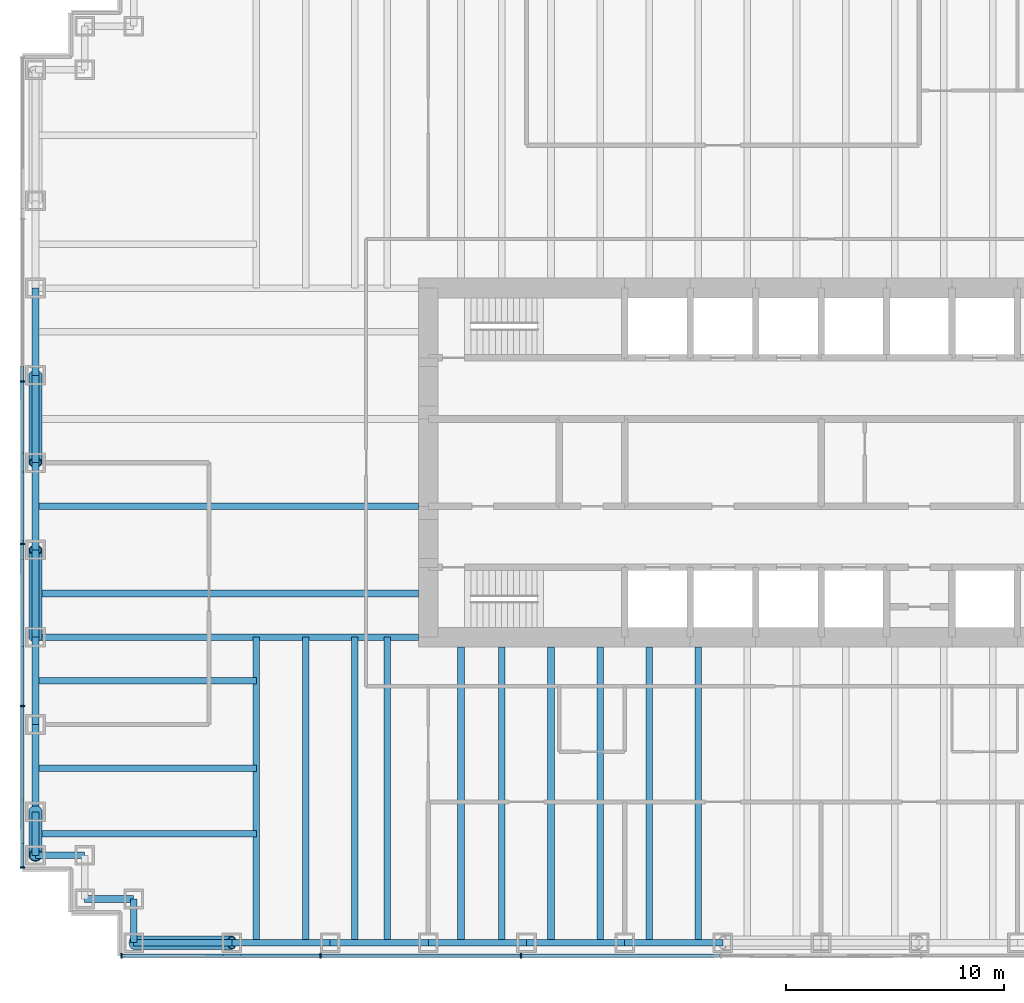
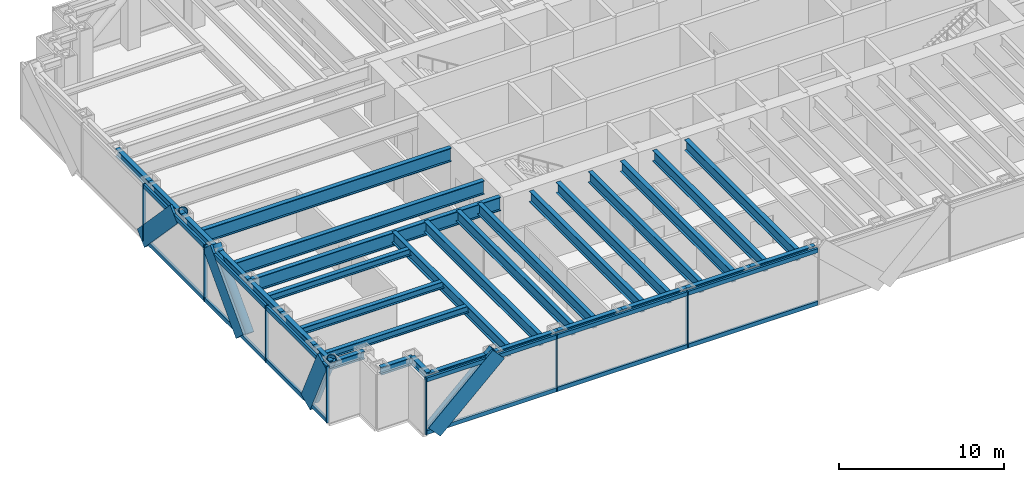
# One storey, part 2 of 15: 32 beams, 27 members, 2 elements without a shape of their own.
"""IFC4 building model written with IfcOpenShell, lengths in metres."""

from ifc_helpers import new_model, si_unit, direction, frame, origin, origin_2d, place, context, subcontext, project, spatial, rectangle, hollow_circle, i_section, extrude, material, material_profile, profile_set, type_object, element, aggregate, save


model = new_model("IFC4")

# Units and contexts
model_context = context("Model", 3, precision=1e-05, world=origin(), true_north=direction((0.0, 1.0)))
body_context = subcontext(model_context, "Body", "Model", "MODEL_VIEW")
ifc_project = project(units=[si_unit("LENGTHUNIT", "METRE"), si_unit("AREAUNIT", "SQUARE_METRE"), si_unit("VOLUMEUNIT", "CUBIC_METRE"), si_unit("PLANEANGLEUNIT", "RADIAN"), si_unit("MASSUNIT", "GRAM", prefix="KILO")], contexts=[model_context])

# Site, building, storey
site_placement = place(None, origin())
site = spatial("IfcSite", under=ifc_project, at=site_placement, CompositionType="ELEMENT")
building_placement = place(site_placement, origin())
building = spatial("IfcBuilding", under=site, at=building_placement, Name="Rheinbord Bourse Tower", CompositionType="ELEMENT")
storey_placement = place(building_placement, frame((0.0, 0.0, 155.10009765625)))
storey = spatial("IfcBuildingStorey", under=building, at=storey_placement, Name="L34", CompositionType="ELEMENT", Elevation=155.10009765625)

# Curtain wall, member
ifc_material_1 = material(Name="Dark glass and black aluminium", Category="aluminium")
curtain_wall_type = type_object("IfcCurtainWallType", Name="CW2 DARK GLASS CURTAIN WALL", PredefinedType="USERDEFINED", material=ifc_material_1)
curtain_wall_1_placement = place(storey_placement, origin())
curtain_wall_1 = element("IfcCurtainWall", 1, at=curtain_wall_1_placement, inside=storey, type_object=curtain_wall_type, Name="Curtain wall CW2 S L34", ObjectType="UNITISED CURTAIN WALL", PredefinedType="USERDEFINED")
ifc_material_2 = material(Name="Black anodised aluminium", Category="aluminium")
ifc_material_profile_1 = material_profile(ifc_material_2, rectangle(XDim=0.159912109375, YDim=1.2099609375, at=origin_2d()), Name="CW2 DIAGONAL MULLION 1210x160")
ifc_profile_set_1 = profile_set([ifc_material_profile_1], Name="Black anodised aluminium")
member_type_1 = type_object("IfcMemberType", Name="CW2 BLACK DIAGONAL MULLION", PredefinedType="USERDEFINED", material=ifc_profile_set_1)
member_1_placement = place(storey_placement, frame((4.5, 1.39990234375, 0.0), z_axis=(0.73105922506, 0.0, 0.682314010889), x_axis=(0.0, 1.0, 0.0)))
member_1 = element("IfcMember", 2, at=member_1_placement, type_object=member_type_1, Name="CW2 diagonal mullion d", ObjectType="DIAGONAL MULLION", PredefinedType="USERDEFINED", context=body_context, shape_type="SweptSolid", body=[
    extrude(rectangle(XDim=0.159912109375, YDim=1.2099609375, at=origin_2d()), origin(), (0.0, 0.0, 1.0), 6.155517578125),
])

# Curtain wall, members
curtain_wall_2_placement = place(storey_placement, origin())
curtain_wall_2 = element("IfcCurtainWall", 3, at=curtain_wall_2_placement, inside=storey, type_object=curtain_wall_type, Name="Curtain wall CW2 W L34", ObjectType="UNITISED CURTAIN WALL", PredefinedType="USERDEFINED")
member_2_placement = place(storey_placement, frame((-0.60009765625, 8.0, 0.0), z_axis=(0.0, -0.429937654825, 0.902858578607), x_axis=(1.0, 0.0, 0.0)))
member_2 = element("IfcMember", 4, at=member_2_placement, type_object=member_type_1, Name="CW2 diagonal mullion a", ObjectType="DIAGONAL MULLION", PredefinedType="USERDEFINED", context=body_context, shape_type="SweptSolid", body=[
    extrude(rectangle(XDim=0.159912109375, YDim=1.2099609375, at=origin_2d()), origin(), (0.0, 0.0, 1.0), 4.65185546875),
])
member_3_placement = place(storey_placement, frame((-0.60009765625, 16.0, 0.0), z_axis=(0.0, 0.689659376744, 0.724133926887), x_axis=(-1.0, 0.0, 0.0)))
member_3 = element("IfcMember", 5, at=member_3_placement, type_object=member_type_1, Name="CW2 diagonal mullion c", ObjectType="DIAGONAL MULLION", PredefinedType="USERDEFINED", context=body_context, shape_type="SweptSolid", body=[
    extrude(rectangle(XDim=0.159912109375, YDim=1.2099609375, at=origin_2d()), origin(), (0.0, 0.0, 1.0), 5.800048828125),
])
member_4_placement = place(storey_placement, frame((-0.60009765625, 28.0, 0.0), z_axis=(0.0, -0.689659376744, 0.724133926887), x_axis=(1.0, 0.0, 0.0)))
member_4 = element("IfcMember", 6, at=member_4_placement, type_object=member_type_1, Name="CW2 diagonal mullion d", ObjectType="DIAGONAL MULLION", PredefinedType="USERDEFINED", context=body_context, shape_type="SweptSolid", body=[
    extrude(rectangle(XDim=0.159912109375, YDim=1.2099609375, at=origin_2d()), origin(), (0.0, 0.0, 1.0), 5.800048828125),
])

# Member
ifc_material_3 = material(Name="Black anodised aluminium", Category="aluminium")
ifc_material_profile_2 = material_profile(ifc_material_3, rectangle(XDim=0.219970703125, YDim=0.070068359375, at=origin_2d()), Name="CW2 MULLION 70x220")
ifc_profile_set_2 = profile_set([ifc_material_profile_2], Name="Black anodised aluminium")
member_type_2 = type_object("IfcMemberType", Name="CW2 BLACK MULLION", PredefinedType="MULLION", material=ifc_profile_set_2)
member_5_placement = place(storey_placement, frame((3.93505859375, 1.39990234375, 0.0), z_axis=(0.0, 0.0, 1.0), x_axis=(0.0, 1.0, 0.0)))
member_5 = element("IfcMember", 7, at=member_5_placement, type_object=member_type_2, Name="CW2 mullion 1", PredefinedType="MULLION", context=body_context, shape_type="SweptSolid", body=[
    extrude(rectangle(XDim=0.219970703125, YDim=0.070068359375, at=origin_2d()), origin(), (0.0, 0.0, 1.0), 4.199951171875),
])

member_6_placement = place(storey_placement, frame((13.071533203125, 1.39990234375, 0.0), z_axis=(0.0, 0.0, 1.0), x_axis=(0.0, 1.0, 0.0)))
member_6 = element("IfcMember", 8, at=member_6_placement, type_object=member_type_2, Name="CW2 mullion 2", PredefinedType="MULLION", context=body_context, shape_type="SweptSolid", body=[
    extrude(rectangle(XDim=0.219970703125, YDim=0.070068359375, at=origin_2d()), origin(), (0.0, 0.0, 1.0), 4.199951171875),
])

member_7_placement = place(storey_placement, frame((22.242919921875, 1.39990234375, 0.0), z_axis=(0.0, 0.0, 1.0), x_axis=(0.0, 1.0, 0.0)))
member_7 = element("IfcMember", 9, at=member_7_placement, type_object=member_type_2, Name="CW2 mullion 3", PredefinedType="MULLION", context=body_context, shape_type="SweptSolid", body=[
    extrude(rectangle(XDim=0.219970703125, YDim=0.070068359375, at=origin_2d()), origin(), (0.0, 0.0, 1.0), 4.199951171875),
])

member_8_placement = place(storey_placement, frame((-0.60009765625, 27.719970703125, 0.0), z_axis=(0.0, 0.0, 1.0), x_axis=(1.0, 0.0, 0.0)))
member_8 = element("IfcMember", 10, at=member_8_placement, type_object=member_type_2, Name="CW2 mullion 3", PredefinedType="MULLION", context=body_context, shape_type="SweptSolid", body=[
    extrude(rectangle(XDim=0.219970703125, YDim=0.070068359375, at=origin_2d()), origin(), (0.0, 0.0, 1.0), 4.199951171875),
])

member_9_placement = place(storey_placement, frame((-0.60009765625, 20.280029296875, 0.0), z_axis=(0.0, 0.0, 1.0), x_axis=(1.0, 0.0, 0.0)))
member_9 = element("IfcMember", 11, at=member_9_placement, type_object=member_type_2, Name="CW2 mullion 4", PredefinedType="MULLION", context=body_context, shape_type="SweptSolid", body=[
    extrude(rectangle(XDim=0.219970703125, YDim=0.070068359375, at=origin_2d()), origin(), (0.0, 0.0, 1.0), 4.199951171875),
])

member_10_placement = place(storey_placement, frame((-0.60009765625, 12.840087890625, 0.0), z_axis=(0.0, 0.0, 1.0), x_axis=(1.0, 0.0, 0.0)))
member_10 = element("IfcMember", 12, at=member_10_placement, type_object=member_type_2, Name="CW2 mullion 5", PredefinedType="MULLION", context=body_context, shape_type="SweptSolid", body=[
    extrude(rectangle(XDim=0.219970703125, YDim=0.070068359375, at=origin_2d()), origin(), (0.0, 0.0, 1.0), 4.199951171875),
])

member_11_placement = place(storey_placement, frame((-0.60009765625, 5.43505859375, 0.0), z_axis=(0.0, 0.0, 1.0), x_axis=(1.0, 0.0, 0.0)))
member_11 = element("IfcMember", 13, at=member_11_placement, type_object=member_type_2, Name="CW2 mullion 6", PredefinedType="MULLION", context=body_context, shape_type="SweptSolid", body=[
    extrude(rectangle(XDim=0.219970703125, YDim=0.070068359375, at=origin_2d()), origin(), (0.0, 0.0, 1.0), 4.199951171875),
])

ifc_material_4 = material(Name="Black anodised aluminium", Category="aluminium")
ifc_material_profile_3 = material_profile(ifc_material_4, rectangle(XDim=0.159912109375, YDim=0.300048828125, at=origin_2d()), Name="CW2 TRANSOM 300x160")
ifc_profile_set_3 = profile_set([ifc_material_profile_3], Name="Black anodised aluminium")
member_type_3 = type_object("IfcMemberType", Name="CW2 BLACK TRANSOM", PredefinedType="USERDEFINED", material=ifc_profile_set_3)
member_12_placement = place(storey_placement, frame((3.969970703125, 1.39990234375, 0.14990234375), z_axis=(1.0, 0.0, 0.0), x_axis=(0.0, 1.0, 0.0)))
member_12 = element("IfcMember", 14, at=member_12_placement, type_object=member_type_3, Name="CW2 transom 1.1", ObjectType="TRANSOM", PredefinedType="USERDEFINED", context=body_context, shape_type="SweptSolid", body=[
    extrude(rectangle(XDim=0.159912109375, YDim=0.300048828125, at=origin_2d()), origin(), (0.0, 0.0, 1.0), 9.06640625),
])

member_13_placement = place(storey_placement, frame((3.969970703125, 1.39990234375, 4.0498046875), z_axis=(1.0, 0.0, 0.0), x_axis=(0.0, 1.0, 0.0)))
member_13 = element("IfcMember", 15, at=member_13_placement, type_object=member_type_3, Name="CW2 transom 1.2", ObjectType="TRANSOM", PredefinedType="USERDEFINED", context=body_context, shape_type="SweptSolid", body=[
    extrude(rectangle(XDim=0.159912109375, YDim=0.300048828125, at=origin_2d()), origin(), (0.0, 0.0, 1.0), 9.06640625),
])

member_14_placement = place(storey_placement, frame((13.1064453125, 1.39990234375, 0.14990234375), z_axis=(1.0, 0.0, 0.0), x_axis=(0.0, 1.0, 0.0)))
member_14 = element("IfcMember", 16, at=member_14_placement, type_object=member_type_3, Name="CW2 transom 2.1", ObjectType="TRANSOM", PredefinedType="USERDEFINED", context=body_context, shape_type="SweptSolid", body=[
    extrude(rectangle(XDim=0.159912109375, YDim=0.300048828125, at=origin_2d()), origin(), (0.0, 0.0, 1.0), 9.101318359375),
])

member_15_placement = place(storey_placement, frame((13.1064453125, 1.39990234375, 4.0498046875), z_axis=(1.0, 0.0, 0.0), x_axis=(0.0, 1.0, 0.0)))
member_15 = element("IfcMember", 17, at=member_15_placement, type_object=member_type_3, Name="CW2 transom 2.2", ObjectType="TRANSOM", PredefinedType="USERDEFINED", context=body_context, shape_type="SweptSolid", body=[
    extrude(rectangle(XDim=0.159912109375, YDim=0.300048828125, at=origin_2d()), origin(), (0.0, 0.0, 1.0), 9.101318359375),
])

member_16_placement = place(storey_placement, frame((22.27783203125, 1.39990234375, 0.14990234375), z_axis=(1.0, 0.0, 0.0), x_axis=(0.0, 1.0, 0.0)))
member_16 = element("IfcMember", 18, at=member_16_placement, type_object=member_type_3, Name="CW2 transom 3.1", ObjectType="TRANSOM", PredefinedType="USERDEFINED", context=body_context, shape_type="SweptSolid", body=[
    extrude(rectangle(XDim=0.159912109375, YDim=0.300048828125, at=origin_2d()), origin(), (0.0, 0.0, 1.0), 9.1015625),
])

member_17_placement = place(storey_placement, frame((22.27783203125, 1.39990234375, 4.0498046875), z_axis=(1.0, 0.0, 0.0), x_axis=(0.0, 1.0, 0.0)))
member_17 = element("IfcMember", 19, at=member_17_placement, type_object=member_type_3, Name="CW2 transom 3.2", ObjectType="TRANSOM", PredefinedType="USERDEFINED", context=body_context, shape_type="SweptSolid", body=[
    extrude(rectangle(XDim=0.159912109375, YDim=0.300048828125, at=origin_2d()), origin(), (0.0, 0.0, 1.0), 9.1015625),
])

aggregate(curtain_wall_1, [member_5, member_6, member_7, member_12, member_13, member_14, member_15, member_16, member_17, member_1])

member_18_placement = place(storey_placement, frame((-0.60009765625, 27.68505859375, 0.14990234375), z_axis=(0.0, -1.0, 0.0), x_axis=(1.0, 0.0, 0.0)))
member_18 = element("IfcMember", 20, at=member_18_placement, type_object=member_type_3, Name="CW2 transom 3.1", ObjectType="TRANSOM", PredefinedType="USERDEFINED", context=body_context, shape_type="SweptSolid", body=[
    extrude(rectangle(XDim=0.159912109375, YDim=0.300048828125, at=origin_2d()), origin(), (0.0, 0.0, 1.0), 7.3701171875),
])

member_19_placement = place(storey_placement, frame((-0.60009765625, 27.68505859375, 4.0498046875), z_axis=(0.0, -1.0, 0.0), x_axis=(1.0, 0.0, 0.0)))
member_19 = element("IfcMember", 21, at=member_19_placement, type_object=member_type_3, Name="CW2 transom 3.2", ObjectType="TRANSOM", PredefinedType="USERDEFINED", context=body_context, shape_type="SweptSolid", body=[
    extrude(rectangle(XDim=0.159912109375, YDim=0.300048828125, at=origin_2d()), origin(), (0.0, 0.0, 1.0), 7.3701171875),
])

member_20_placement = place(storey_placement, frame((-0.60009765625, 20.2451171875, 0.14990234375), z_axis=(0.0, -1.0, 0.0), x_axis=(1.0, 0.0, 0.0)))
member_20 = element("IfcMember", 22, at=member_20_placement, type_object=member_type_3, Name="CW2 transom 4.1", ObjectType="TRANSOM", PredefinedType="USERDEFINED", context=body_context, shape_type="SweptSolid", body=[
    extrude(rectangle(XDim=0.159912109375, YDim=0.300048828125, at=origin_2d()), origin(), (0.0, 0.0, 1.0), 7.3701171875),
])

member_21_placement = place(storey_placement, frame((-0.60009765625, 20.2451171875, 4.0498046875), z_axis=(0.0, -1.0, 0.0), x_axis=(1.0, 0.0, 0.0)))
member_21 = element("IfcMember", 23, at=member_21_placement, type_object=member_type_3, Name="CW2 transom 4.2", ObjectType="TRANSOM", PredefinedType="USERDEFINED", context=body_context, shape_type="SweptSolid", body=[
    extrude(rectangle(XDim=0.159912109375, YDim=0.300048828125, at=origin_2d()), origin(), (0.0, 0.0, 1.0), 7.3701171875),
])

member_22_placement = place(storey_placement, frame((-0.60009765625, 12.804931640625, 0.14990234375), z_axis=(0.0, -1.0, 0.0), x_axis=(1.0, 0.0, 0.0)))
member_22 = element("IfcMember", 24, at=member_22_placement, type_object=member_type_3, Name="CW2 transom 5.1", ObjectType="TRANSOM", PredefinedType="USERDEFINED", context=body_context, shape_type="SweptSolid", body=[
    extrude(rectangle(XDim=0.159912109375, YDim=0.300048828125, at=origin_2d()), origin(), (0.0, 0.0, 1.0), 7.3349609375),
])

member_23_placement = place(storey_placement, frame((-0.60009765625, 12.804931640625, 4.0498046875), z_axis=(0.0, -1.0, 0.0), x_axis=(1.0, 0.0, 0.0)))
member_23 = element("IfcMember", 25, at=member_23_placement, type_object=member_type_3, Name="CW2 transom 5.2", ObjectType="TRANSOM", PredefinedType="USERDEFINED", context=body_context, shape_type="SweptSolid", body=[
    extrude(rectangle(XDim=0.159912109375, YDim=0.300048828125, at=origin_2d()), origin(), (0.0, 0.0, 1.0), 7.3349609375),
])

aggregate(curtain_wall_2, [member_8, member_9, member_10, member_11, member_18, member_19, member_20, member_21, member_22, member_23, member_2, member_3, member_4])

# Beams
ifc_material_5 = material(Name="Steel S460", Category="steel")
ifc_material_profile_4 = material_profile(ifc_material_5, i_section(OverallWidth=0.302001953125, OverallDepth=1.008056640625, WebThickness=0.02099609375, FlangeThickness=0.0400390625, at=origin_2d()), Name="HEM 1000")
ifc_profile_set_4 = profile_set([ifc_material_profile_4], Name="Steel S460")
beam_type_1 = type_object("IfcBeamType", Name="END BEAM HEM 1000", PredefinedType="BEAM", material=ifc_profile_set_4)
for number, where, z_axis, x_axis, name in (
    (26, (0.0, 18.0, 3.535888671875), (1.0, 0.0, 0.0), (0.0, 1.0, 0.0), "End beam west 18 L35"),
    (27, (0.0, 22.0, 3.535888671875), (1.0, 0.0, 0.0), (0.0, 1.0, 0.0), "End beam west 22 L35"),
):
    element("IfcBeam", number, at=place(storey_placement, frame(where, z_axis=z_axis, x_axis=x_axis)), inside=storey, type_object=beam_type_1, Name=name, PredefinedType="BEAM", context=body_context, shape_type="SweptSolid", body=[
        extrude(i_section(OverallWidth=0.302001953125, OverallDepth=1.008056640625, WebThickness=0.02099609375, FlangeThickness=0.0400390625, at=origin_2d()), origin(), (0.0, 0.0, 1.0), 17.550048828125),
    ])
ifc_material_6 = material(Name="Steel S460", Category="steel")
ifc_material_profile_5 = material_profile(ifc_material_6, i_section(OverallWidth=0.300048828125, OverallDepth=0.800048828125, WebThickness=0.017578125, FlangeThickness=0.032958984375, at=origin_2d()), Name="HEB 800")
ifc_profile_set_5 = profile_set([ifc_material_profile_5], Name="Steel S460")
beam_type_2 = type_object("IfcBeamType", Name="FLOOR BEAM HEB 800", PredefinedType="BEAM", material=ifc_profile_set_5)
for number, where, z_axis, x_axis, name in (
    (28, (10.125, 2.0, 3.639892578125), (0.0, 1.0, 0.0), (-1.0, 0.0, 0.0), "Floor beam S-9a L35"),
    (29, (12.375, 2.0, 3.639892578125), (0.0, 1.0, 0.0), (-1.0, 0.0, 0.0), "Floor beam S-9b L35"),
    (30, (14.625, 2.0, 3.639892578125), (0.0, 1.0, 0.0), (-1.0, 0.0, 0.0), "Floor beam S-13.5a L35"),
    (31, (16.125, 2.0, 3.639892578125), (0.0, 1.0, 0.0), (-1.0, 0.0, 0.0), "Floor beam S-13.5b L35"),
):
    element("IfcBeam", number, at=place(storey_placement, frame(where, z_axis=z_axis, x_axis=x_axis)), inside=storey, type_object=beam_type_2, Name=name, PredefinedType="BEAM", context=body_context, shape_type="SweptSolid", body=[
        extrude(i_section(OverallWidth=0.300048828125, OverallDepth=0.800048828125, WebThickness=0.017578125, FlangeThickness=0.032958984375, at=origin_2d()), origin(), (0.0, 0.0, 1.0), 14.0),
    ])
for number, where, z_axis, x_axis, name in (
    (32, (19.5, 2.0, 3.639892578125), (0.0, 1.0, 0.0), (-1.0, 0.0, 0.0), "Floor beam S-18a L35"),
    (33, (21.375, 2.0, 3.639892578125), (0.0, 1.0, 0.0), (-1.0, 0.0, 0.0), "Floor beam S-18b L35"),
    (34, (23.625, 2.0, 3.639892578125), (0.0, 1.0, 0.0), (-1.0, 0.0, 0.0), "Floor beam S-22.5a L35"),
    (35, (25.875, 2.0, 3.639892578125), (0.0, 1.0, 0.0), (-1.0, 0.0, 0.0), "Floor beam S-22.5b L35"),
    (36, (28.125, 2.0, 3.639892578125), (0.0, 1.0, 0.0), (-1.0, 0.0, 0.0), "Floor beam S-27a L35"),
    (37, (30.375, 2.0, 3.639892578125), (0.0, 1.0, 0.0), (-1.0, 0.0, 0.0), "Floor beam S-27b L35"),
):
    element("IfcBeam", number, at=place(storey_placement, frame(where, z_axis=z_axis, x_axis=x_axis)), inside=storey, type_object=beam_type_2, Name=name, PredefinedType="BEAM", context=body_context, shape_type="SweptSolid", body=[
        extrude(i_section(OverallWidth=0.300048828125, OverallDepth=0.800048828125, WebThickness=0.017578125, FlangeThickness=0.032958984375, at=origin_2d()), origin(), (0.0, 0.0, 1.0), 13.550048828125),
    ])
ifc_material_7 = material(Name="Steel S460", Category="steel")
ifc_material_profile_6 = material_profile(ifc_material_7, i_section(OverallWidth=0.302001953125, OverallDepth=1.008056640625, WebThickness=0.02099609375, FlangeThickness=0.0400390625, at=origin_2d()), Name="HEM 1000")
ifc_profile_set_6 = profile_set([ifc_material_profile_6], Name="Steel S460")
beam_type_3 = type_object("IfcBeamType", Name="GIRDER HEM 1000", PredefinedType="BEAM", material=ifc_profile_set_6)
beam_1_placement = place(storey_placement, frame((0.0, 16.0, 3.535888671875), z_axis=(1.0, 0.0, 0.0), x_axis=(0.0, 1.0, 0.0)))
element("IfcBeam", 38, at=beam_1_placement, inside=storey, type_object=beam_type_3, Name="Girder west 16 L35", PredefinedType="BEAM", context=body_context, shape_type="SweptSolid", body=[
    extrude(i_section(OverallWidth=0.302001953125, OverallDepth=1.008056640625, WebThickness=0.02099609375, FlangeThickness=0.0400390625, at=origin_2d()), origin(), (0.0, 0.0, 1.0), 17.550048828125),
])

# Members
ifc_material_8 = material(Name="Steel S460", Category="steel")
ifc_material_profile_7 = material_profile(ifc_material_8, hollow_circle(Radius=0.304931640625, WallThickness=0.0400390625, at=origin_2d()), Name="CHS 610x40")
ifc_profile_set_7 = profile_set([ifc_material_profile_7], Name="Steel S460")
member_type_4 = type_object("IfcMemberType", Name="MEGABRACE CHS 610x40", PredefinedType="BRACE", material=ifc_profile_set_7)
member_24_placement = place(storey_placement, frame((4.5, 2.0, 0.0), z_axis=(0.73105922506, 0.0, 0.682314010889), x_axis=(0.0, 1.0, 0.0)))
element("IfcMember", 39, at=member_24_placement, inside=storey, type_object=member_type_4, Name="Megabrace S face line d L34", PredefinedType="BRACE", context=body_context, shape_type="SweptSolid", body=[
    extrude(hollow_circle(Radius=0.304931640625, WallThickness=0.0400390625, at=origin_2d()), origin(), (0.0, 0.0, 1.0), 6.155517578125),
])
member_25_placement = place(storey_placement, frame((0.0, 8.0, 0.0), z_axis=(0.0, -0.429937654825, 0.902858578607), x_axis=(1.0, 0.0, 0.0)))
element("IfcMember", 40, at=member_25_placement, inside=storey, type_object=member_type_4, Name="Megabrace W face line a L34", PredefinedType="BRACE", context=body_context, shape_type="SweptSolid", body=[
    extrude(hollow_circle(Radius=0.304931640625, WallThickness=0.0400390625, at=origin_2d()), origin(), (0.0, 0.0, 1.0), 4.65185546875),
])
for number, where, z_axis, x_axis, name in (
    (41, (0.0, 16.0, 0.0), (0.0, 0.689659376744, 0.724133926887), (-1.0, 0.0, 0.0), "Megabrace W face line c L34"),
    (42, (0.0, 28.0, 0.0), (0.0, -0.689659376744, 0.724133926887), (1.0, 0.0, 0.0), "Megabrace W face line d L34"),
):
    element("IfcMember", number, at=place(storey_placement, frame(where, z_axis=z_axis, x_axis=x_axis)), inside=storey, type_object=member_type_4, Name=name, PredefinedType="BRACE", context=body_context, shape_type="SweptSolid", body=[
        extrude(hollow_circle(Radius=0.304931640625, WallThickness=0.0400390625, at=origin_2d()), origin(), (0.0, 0.0, 1.0), 5.800048828125),
    ])

# Beams
ifc_material_9 = material(Name="Steel S460", Category="steel")
ifc_material_profile_8 = material_profile(ifc_material_9, i_section(OverallWidth=0.305908203125, OverallDepth=0.572021484375, WebThickness=0.02099609375, FlangeThickness=0.0400390625, at=origin_2d()), Name="HEM 550")
ifc_profile_set_8 = profile_set([ifc_material_profile_8], Name="Steel S460")
beam_type_4 = type_object("IfcBeamType", Name="SPANDREL HEM 550", PredefinedType="SPANDREL", material=ifc_profile_set_8)
for number, where, z_axis, x_axis, name in (
    (43, (4.5, 2.0, 3.75390625), (1.0, 0.0, 0.0), (0.0, 1.0, 0.0), "Spandrel SW-E-S-9 under L35"),
    (44, (9.0, 2.0, 3.75390625), (1.0, 0.0, 0.0), (0.0, 1.0, 0.0), "Spandrel S-9-S-13.5 under L35"),
    (45, (13.5, 2.0, 3.75390625), (1.0, 0.0, 0.0), (0.0, 1.0, 0.0), "Spandrel S-13.5-S-18 under L35"),
    (46, (18.0, 2.0, 3.75390625), (1.0, 0.0, 0.0), (0.0, 1.0, 0.0), "Spandrel S-18-S-22.5 under L35"),
    (47, (22.5, 2.0, 3.75390625), (1.0, 0.0, 0.0), (0.0, 1.0, 0.0), "Spandrel S-22.5-S-27 under L35"),
    (48, (27.0, 2.0, 3.75390625), (1.0, 0.0, 0.0), (0.0, 1.0, 0.0), "Spandrel S-27-S-31.5 under L35"),
):
    element("IfcBeam", number, at=place(storey_placement, frame(where, z_axis=z_axis, x_axis=x_axis)), inside=storey, type_object=beam_type_4, Name=name, PredefinedType="SPANDREL", context=body_context, shape_type="SweptSolid", body=[
        extrude(i_section(OverallWidth=0.305908203125, OverallDepth=0.572021484375, WebThickness=0.02099609375, FlangeThickness=0.0400390625, at=origin_2d()), origin(), (0.0, 0.0, 1.0), 4.5),
    ])
for number, where, z_axis, x_axis, name in (
    (49, (0.0, 32.0, 3.75390625), (0.0, -1.0, 0.0), (1.0, 0.0, 0.0), "Spandrel W-32-W-28 under L35"),
    (50, (0.0, 28.0, 3.75390625), (0.0, -1.0, 0.0), (1.0, 0.0, 0.0), "Spandrel W-28-W-24 under L35"),
    (51, (0.0, 24.0, 3.75390625), (0.0, -1.0, 0.0), (1.0, 0.0, 0.0), "Spandrel W-24-W-20 under L35"),
    (52, (0.0, 20.0, 3.75390625), (0.0, -1.0, 0.0), (1.0, 0.0, 0.0), "Spandrel W-20-W-16 under L35"),
    (53, (0.0, 16.0, 3.75390625), (0.0, -1.0, 0.0), (1.0, 0.0, 0.0), "Spandrel W-16-W-12 under L35"),
    (54, (0.0, 12.0, 3.75390625), (0.0, -1.0, 0.0), (1.0, 0.0, 0.0), "Spandrel W-12-W-8 under L35"),
):
    element("IfcBeam", number, at=place(storey_placement, frame(where, z_axis=z_axis, x_axis=x_axis)), inside=storey, type_object=beam_type_4, Name=name, PredefinedType="SPANDREL", context=body_context, shape_type="SweptSolid", body=[
        extrude(i_section(OverallWidth=0.305908203125, OverallDepth=0.572021484375, WebThickness=0.02099609375, FlangeThickness=0.0400390625, at=origin_2d()), origin(), (0.0, 0.0, 1.0), 4.0),
    ])
beam_2_placement = place(storey_placement, frame((0.0, 8.0, 3.75390625), z_axis=(0.0, -1.0, 0.0), x_axis=(1.0, 0.0, 0.0)))
element("IfcBeam", 55, at=beam_2_placement, inside=storey, type_object=beam_type_4, Name="Spandrel W-8-SW-A under L35", PredefinedType="SPANDREL", context=body_context, shape_type="SweptSolid", body=[
    extrude(i_section(OverallWidth=0.305908203125, OverallDepth=0.572021484375, WebThickness=0.02099609375, FlangeThickness=0.0400390625, at=origin_2d()), origin(), (0.0, 0.0, 1.0), 2.0),
])
for number, where, z_axis, x_axis, name in (
    (56, (0.0, 6.0, 3.75390625), (1.0, 0.0, 0.0), (0.0, 1.0, 0.0), "Spandrel SW-A-SW-B under L35"),
    (57, (2.25, 4.0, 3.75390625), (1.0, 0.0, 0.0), (0.0, 1.0, 0.0), "Spandrel SW-C-SW-D under L35"),
):
    element("IfcBeam", number, at=place(storey_placement, frame(where, z_axis=z_axis, x_axis=x_axis)), inside=storey, type_object=beam_type_4, Name=name, PredefinedType="SPANDREL", context=body_context, shape_type="SweptSolid", body=[
        extrude(i_section(OverallWidth=0.305908203125, OverallDepth=0.572021484375, WebThickness=0.02099609375, FlangeThickness=0.0400390625, at=origin_2d()), origin(), (0.0, 0.0, 1.0), 2.25),
    ])
beam_3_placement = place(storey_placement, frame((4.5, 4.0, 3.75390625), z_axis=(0.0, -1.0, 0.0), x_axis=(1.0, 0.0, 0.0)))
element("IfcBeam", 58, at=beam_3_placement, inside=storey, type_object=beam_type_4, Name="Spandrel SW-D-SW-E under L35", PredefinedType="SPANDREL", context=body_context, shape_type="SweptSolid", body=[
    extrude(i_section(OverallWidth=0.305908203125, OverallDepth=0.572021484375, WebThickness=0.02099609375, FlangeThickness=0.0400390625, at=origin_2d()), origin(), (0.0, 0.0, 1.0), 2.0),
])
ifc_material_10 = material(Name="Steel S460", Category="steel")
ifc_material_profile_9 = material_profile(ifc_material_10, i_section(OverallWidth=0.300048828125, OverallDepth=0.5, WebThickness=0.014404296875, FlangeThickness=0.028076171875, at=origin_2d()), Name="HEB 500")
ifc_profile_set_9 = profile_set([ifc_material_profile_9], Name="Steel S460")
beam_type_5 = type_object("IfcBeamType", Name="TIE BEAM HEB 500", PredefinedType="JOIST", material=ifc_profile_set_9)
for number, where, z_axis, x_axis, name in (
    (59, (0.0, 7.0, 3.789794921875), (1.0, 0.0, 0.0), (0.0, 1.0, 0.0), "Tie west 7 L35"),
    (60, (0.0, 10.0, 3.789794921875), (1.0, 0.0, 0.0), (0.0, 1.0, 0.0), "Tie west 10 L35"),
    (61, (0.0, 14.0, 3.789794921875), (1.0, 0.0, 0.0), (0.0, 1.0, 0.0), "Tie west 14 L35"),
):
    element("IfcBeam", number, at=place(storey_placement, frame(where, z_axis=z_axis, x_axis=x_axis)), inside=storey, type_object=beam_type_5, Name=name, PredefinedType="JOIST", context=body_context, shape_type="SweptSolid", body=[
        extrude(i_section(OverallWidth=0.300048828125, OverallDepth=0.5, WebThickness=0.014404296875, FlangeThickness=0.028076171875, at=origin_2d()), origin(), (0.0, 0.0, 1.0), 10.125),
    ])

save(model, "model.ifc")
